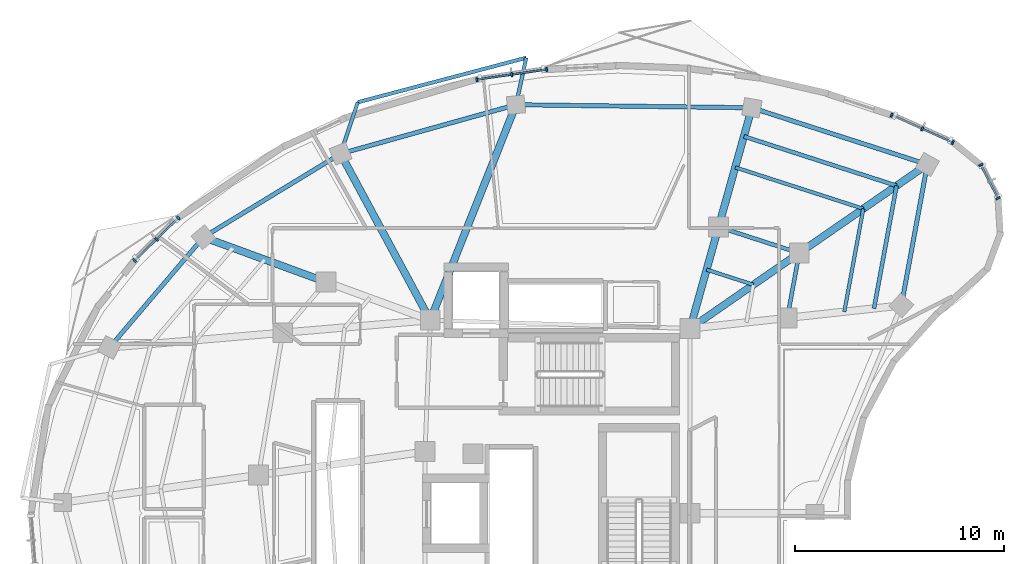
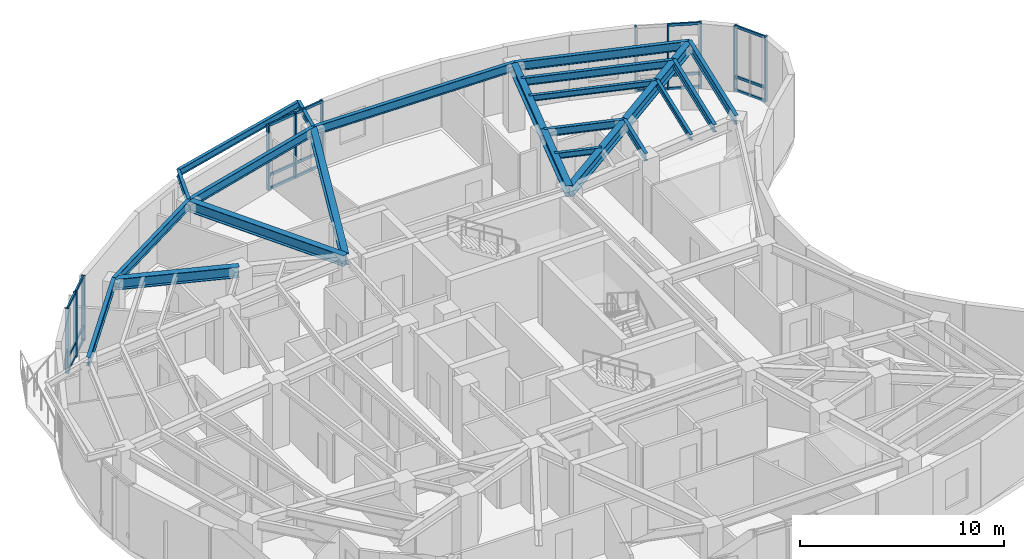
# One storey, part 5 of 14: 30 members, 23 beams, 4 elements without a shape of their own.
"""IFC4 building model written with IfcOpenShell, lengths in metres."""

import ifcopenshell
import ifcopenshell.guid

model = None  # the IFC model being written
_history = None  # IfcOwnerHistory: only IFC2X3 demands one
_inside = {}  # id of a spatial element -> (the spatial element, [elements in it])
_under = {}  # id of a project, library or spatial element -> (it, [spatial elements below it])
_declared = {}  # id of a project -> (the project, [libraries it declares])
_typed = {}  # id of a type object -> (the type object, [elements of that type])
_made_of = {}  # id of a material, layer set ... -> (it, [elements and type objects made of it])


def new_model(schema):
    """Start an empty IFC model of exactly this schema.

    Asked for "IFC4X3", IfcOpenShell would pick the latest addendum, in which some entities
    have other attributes; the version numbers below select the first issue.
    IFC2X3 requires an IfcOwnerHistory on every rooted entity: one is made here for all.
    """
    global model, _history
    if schema == "IFC4X3":
        model = ifcopenshell.file(schema_version=(4, 3, 0, 0))
    else:
        model = ifcopenshell.file(schema=schema)
    _inside.clear()
    _under.clear()
    _declared.clear()
    _typed.clear()
    _made_of.clear()
    _history = None
    if model.schema == "IFC2X3":
        org = make("IfcOrganization", Name="unknown")
        user = make(
            "IfcPersonAndOrganization",
            ThePerson=make("IfcPerson", FamilyName="unknown"),
            TheOrganization=org,
        )
        app = make(
            "IfcApplication",
            ApplicationDeveloper=org,
            Version="unknown",
            ApplicationFullName="unknown",
            ApplicationIdentifier="unknown",
        )
        _history = make(
            "IfcOwnerHistory",
            OwningUser=user,
            OwningApplication=app,
            ChangeAction="ADDED",
            CreationDate=0,
        )
    return model


def make(cls, **values):
    """One entity of the class cls with the attributes given. An attribute that is None is left unset."""
    return model.create_entity(
        cls, **{name: value for name, value in values.items() if value is not None}
    )


def rooted(cls, **values):
    """An entity with a GlobalId (a new one), such as an element, a storey or a relation."""
    return make(cls, GlobalId=ifcopenshell.guid.new(), OwnerHistory=_history, **values)


def si_unit(unit_type, name, prefix=None):
    """IfcSIUnit, for example si_unit("LENGTHUNIT", "METRE", prefix="MILLI")."""
    return make("IfcSIUnit", UnitType=unit_type, Prefix=prefix, Name=name)


def assignment(units):
    """IfcUnitAssignment: the units of a project."""
    return None if units is None else make("IfcUnitAssignment", Units=units)


def point(xyz):
    """IfcCartesianPoint."""
    return None if xyz is None else make("IfcCartesianPoint", Coordinates=xyz)


def direction(xyz):
    """IfcDirection."""
    return None if xyz is None else make("IfcDirection", DirectionRatios=xyz)


def frame(location, z_axis=None, x_axis=None):
    """IfcAxis2Placement3D, a coordinate frame: its origin and axes. An axis left out is left unset."""
    return make(
        "IfcAxis2Placement3D",
        Location=point(location),
        Axis=direction(z_axis),
        RefDirection=direction(x_axis),
    )


def frame_2d(location, x_axis=None):
    """IfcAxis2Placement2D, a coordinate frame in the plane: its origin and x axis."""
    return make(
        "IfcAxis2Placement2D", Location=point(location), RefDirection=direction(x_axis)
    )


def origin():
    """The frame at (0, 0, 0) with its axes left unset."""
    return frame((0.0, 0.0, 0.0))


def origin_2d():
    """The frame at (0, 0) in the plane with its x axis left unset."""
    return frame_2d((0.0, 0.0))


def place(relative_to, where):
    """IfcLocalPlacement: puts the frame where relative to a parent placement (None: the world)."""
    return make(
        "IfcLocalPlacement", PlacementRelTo=relative_to, RelativePlacement=where
    )


def context(
    kind, dimensions, precision=None, world=None, true_north=None, identifier=None
):
    """IfcGeometricRepresentationContext, for example the 3D "Model" context."""
    return make(
        "IfcGeometricRepresentationContext",
        ContextIdentifier=identifier,
        ContextType=kind,
        CoordinateSpaceDimension=dimensions,
        Precision=precision,
        WorldCoordinateSystem=world,
        TrueNorth=true_north,
    )


def subcontext(parent, identifier, kind, view, scale=None):
    """IfcGeometricRepresentationSubContext, for example "Body" below "Model"."""
    return make(
        "IfcGeometricRepresentationSubContext",
        ContextIdentifier=identifier,
        ContextType=kind,
        ParentContext=parent,
        TargetScale=scale,
        TargetView=view,
    )


def project(units=None, contexts=None):
    """IfcProject with its units and contexts."""
    return rooted(
        "IfcProject",
        Name="project",
        RepresentationContexts=contexts,
        UnitsInContext=assignment(units),
    )


def spatial(cls, under=None, at=None, **own):
    """A site, building, storey or space (cls), placed at a placement, below another one or the project."""
    s = rooted(cls, ObjectPlacement=at, **own)
    if under is not None:
        _under.setdefault(under.id(), (under, []))[1].append(s)
    return s


def profile(cls, at=None, kind="AREA", **sizes):
    """A parametric profile (cls). Its sizes go by their IFC names, for example OverallWidth=200.0."""
    return make(cls, ProfileType=kind, Position=at, **sizes)


def rectangle(**sizes):
    """IfcRectangleProfileDef."""
    return profile("IfcRectangleProfileDef", **sizes)


def i_section(**sizes):
    """IfcIShapeProfileDef."""
    return profile("IfcIShapeProfileDef", **sizes)


def extrude(swept, where, along, depth):
    """IfcExtrudedAreaSolid: the profile swept, set in the frame where, extruded along a direction by depth."""
    return make(
        "IfcExtrudedAreaSolid",
        SweptArea=swept,
        Position=where,
        ExtrudedDirection=direction(along),
        Depth=depth,
    )


def shape(context_of_items, identifier, shape_type, items):
    """IfcShapeRepresentation: the items that make up one representation, for example the "Body"."""
    return make(
        "IfcShapeRepresentation",
        ContextOfItems=context_of_items,
        RepresentationIdentifier=identifier,
        RepresentationType=shape_type,
        Items=items,
    )


def material(Name=None, Category=None):
    """IfcMaterial."""
    return make("IfcMaterial", Name=Name, Category=Category)


def layer(
    of_material, thickness, ventilated=None, Name=None, Category=None, Priority=None
):
    """IfcMaterialLayer: one layer of a wall or slab, of a material (None: an air gap)."""
    return make(
        "IfcMaterialLayer",
        Material=of_material,
        LayerThickness=thickness,
        IsVentilated=ventilated,
        Name=Name,
        Category=Category,
        Priority=Priority,
    )


def layer_set(layers, Name=None):
    """IfcMaterialLayerSet."""
    return make("IfcMaterialLayerSet", MaterialLayers=layers, LayerSetName=Name)


def material_profile(
    of_material, cross_section, Name=None, Category=None, Priority=None
):
    """IfcMaterialProfile: a cross section and its material."""
    return make(
        "IfcMaterialProfile",
        Name=Name,
        Material=of_material,
        Profile=cross_section,
        Priority=Priority,
        Category=Category,
    )


def profile_set(profiles, Name=None, composite=None):
    """IfcMaterialProfileSet."""
    return make(
        "IfcMaterialProfileSet",
        Name=Name,
        MaterialProfiles=profiles,
        CompositeProfile=composite,
    )


def made_of(thing, what):
    """Note that an element or type object is made of a material, layer set ...; save() writes the relation."""
    if what is not None:
        _made_of.setdefault(what.id(), (what, []))[1].append(thing)
    return thing


def type_object(cls, material=None, **own):
    """A type object (cls), such as IfcWallType, which elements share."""
    return made_of(rooted(cls, **own), material)


def element(
    cls,
    number,
    at=None,
    inside=None,
    cuts=None,
    type_object=None,
    material=None,
    context=None,
    identifier="Body",
    shape_type=None,
    held_by="IfcProductDefinitionShape",
    body=None,
    shapes=None,
    **own,
):
    """One element of the class cls, such as IfcWall. Its Tag is "e" and its number.

    at: its placement. inside: the storey or other place that contains it. cuts: it is an
    opening in that element (IfcRelVoidsElement). A single representation is given by context,
    identifier, shape_type and body (its items); several are given by shapes. held_by: the class
    of the entity that holds the representations. save() writes the other relations.
    """
    e = rooted(cls, Tag="e%d" % number, ObjectPlacement=at, **own)
    if body is not None:
        shapes = [shape(context, identifier, shape_type, body)]
    if shapes is not None:
        e.Representation = make(held_by, Representations=shapes)
    if inside is not None:
        _inside.setdefault(inside.id(), (inside, []))[1].append(e)
    if cuts is not None:
        rooted(
            "IfcRelVoidsElement", RelatingBuildingElement=cuts, RelatedOpeningElement=e
        )
    if type_object is not None:
        _typed.setdefault(type_object.id(), (type_object, []))[1].append(e)
    return made_of(e, material)


def aggregate(whole, parts):
    """IfcRelAggregates: a whole, such as a stair, and the parts it consists of."""
    return rooted("IfcRelAggregates", RelatingObject=whole, RelatedObjects=parts)


def save(model, path):
    """Write the relations noted so far, then the file.

    IfcRelAggregates (storeys below a building ...), IfcRelContainedInSpatialStructure (elements
    in a storey), IfcRelDefinesByType, IfcRelAssociatesMaterial and IfcRelDeclares: one each for
    every whole, place, type object, material and project.
    """
    for whole, parts in _under.values():
        aggregate(whole, parts)
    for where, things in _inside.values():
        rooted(
            "IfcRelContainedInSpatialStructure",
            RelatedElements=things,
            RelatingStructure=where,
        )
    for kind, things in _typed.values():
        rooted("IfcRelDefinesByType", RelatedObjects=things, RelatingType=kind)
    for what, things in _made_of.values():
        rooted("IfcRelAssociatesMaterial", RelatedObjects=things, RelatingMaterial=what)
    for by, libraries in _declared.values():
        rooted("IfcRelDeclares", RelatingContext=by, RelatedDefinitions=libraries)
    model.write(path)


model = new_model("IFC4")

# Units and contexts
model_context = context("Model", 3, precision=1e-05, world=origin(), true_north=direction((0.0, 1.0)))
body_context = subcontext(model_context, "Body", "Model", "MODEL_VIEW")
ifc_project = project(units=[si_unit("LENGTHUNIT", "METRE"), si_unit("AREAUNIT", "SQUARE_METRE"), si_unit("VOLUMEUNIT", "CUBIC_METRE"), si_unit("PLANEANGLEUNIT", "RADIAN"), si_unit("MASSUNIT", "GRAM", prefix="KILO")], contexts=[model_context])

# Site, building, storey
site_placement = place(None, origin())
site = spatial("IfcSite", under=ifc_project, at=site_placement, CompositionType="ELEMENT")
building_placement = place(site_placement, origin())
building = spatial("IfcBuilding", under=site, at=building_placement, Name="Korentha Bioscience Tower", CompositionType="ELEMENT")
storey_placement = place(building_placement, frame((0.0, 0.0, 252.0)))
storey = spatial("IfcBuildingStorey", under=building, at=storey_placement, Name="L58", CompositionType="ELEMENT", Elevation=252.0)

# Beams
ifc_material_1 = material(Name="Steel S355", Category="steel")
ifc_material_profile_1 = material_profile(ifc_material_1, i_section(OverallWidth=0.18994140625, OverallDepth=0.45703125, WebThickness=0.009033203125, FlangeThickness=0.014404296875, at=origin_2d()), Name="Steel S355")
ifc_profile_set_1 = profile_set([ifc_material_profile_1], Name="Steel S355 (MB-460)")
beam_type_1 = type_object("IfcBeamType", Name="Mid-Ring Tie Girder W460x74", PredefinedType="BEAM", material=ifc_profile_set_1)
beam_1_placement = place(storey_placement, frame((42.77685546875, 39.464599609375, 3.67138671875), z_axis=(-0.951528341902, 0.307561074514, 0.0), x_axis=(-0.307561074514, -0.951528341902, 0.0)))
element("IfcBeam", 1, at=beam_1_placement, inside=storey, type_object=beam_type_1, Name="L58 Mid-Ring Tie Girder 01", PredefinedType="BEAM", context=body_context, shape_type="SweptSolid", body=[
    extrude(i_section(OverallWidth=0.18994140625, OverallDepth=0.45703125, WebThickness=0.009033203125, FlangeThickness=0.014404296875, at=origin_2d()), origin(), (0.0, 0.0, 1.0), 4.062744140625),
])
beam_2_placement = place(storey_placement, frame((42.205078125, 36.357177734375, 3.67138671875), z_axis=(0.180965758034, 0.983489397207, 0.0), x_axis=(-0.983489397207, 0.180965758034, 0.0)))
element("IfcBeam", 2, at=beam_2_placement, inside=storey, type_object=beam_type_1, Name="L58 Mid-Ring Tie Girder 16", PredefinedType="BEAM", context=body_context, shape_type="SweptSolid", body=[
    extrude(i_section(OverallWidth=0.18994140625, OverallDepth=0.45703125, WebThickness=0.009033203125, FlangeThickness=0.014404296875, at=origin_2d()), origin(), (0.0, 0.0, 1.0), 3.15966796875),
])

# Curtain wall, members
ifc_material_2 = material(Name="Thermally Broken Aluminium Frame", Category="aluminium")
ifc_layer = layer(ifc_material_2, 0.219970703125, Name="Thermally Broken Aluminium Frame")
ifc_layer_set = layer_set([ifc_layer], Name="Thermally Broken Aluminium Frame (CW-T2)")
curtain_wall_type = type_object("IfcCurtainWallType", Name="Solar-Screened Lab Unitised Curtain Wall CW-T2", PredefinedType="USERDEFINED", material=ifc_layer_set)
curtain_wall_1_placement = place(storey_placement, origin())
curtain_wall_1 = element("IfcCurtainWall", 3, at=curtain_wall_1_placement, inside=storey, type_object=curtain_wall_type, Name="L58 Curtain Wall 01", ObjectType="UNITISED", PredefinedType="USERDEFINED")
ifc_material_3 = material(Name="Anodised Aluminium 6063-T6", Category="aluminium")
ifc_material_profile_2 = material_profile(ifc_material_3, rectangle(XDim=0.090087890625, YDim=0.199951171875, at=origin_2d()), Name="Anodised Aluminium 6063-T6")
ifc_profile_set_2 = profile_set([ifc_material_profile_2], Name="Anodised Aluminium 6063-T6 (CW-MUL)")
member_type_1 = type_object("IfcMemberType", Name="Mullion RECT 90x200", PredefinedType="MULLION", material=ifc_profile_set_2)
member_1_placement = place(storey_placement, frame((50.13916015625, 44.75830078125, 0.0), z_axis=(0.0, 0.0, 1.0), x_axis=(-0.912621774183, 0.408804962405, 0.0)))
member_1 = element("IfcMember", 4, at=member_1_placement, type_object=member_type_1, Name="CW-L58-01 Mullion 1", PredefinedType="MULLION", context=body_context, shape_type="SweptSolid", body=[
    extrude(rectangle(XDim=0.090087890625, YDim=0.199951171875, at=origin_2d()), origin(), (0.0, 0.0, 1.0), 3.89990234375),
])
member_2_placement = place(storey_placement, frame((48.67138671875, 45.415771484375, 0.0), z_axis=(0.0, 0.0, 1.0), x_axis=(-0.912621774183, 0.408804962405, 0.0)))
member_2 = element("IfcMember", 5, at=member_2_placement, type_object=member_type_1, Name="CW-L58-01 Mullion 2", PredefinedType="MULLION", context=body_context, shape_type="SweptSolid", body=[
    extrude(rectangle(XDim=0.090087890625, YDim=0.199951171875, at=origin_2d()), origin(), (0.0, 0.0, 1.0), 3.89990234375),
])
member_3_placement = place(storey_placement, frame((47.203369140625, 46.0732421875, 0.0), z_axis=(0.0, 0.0, 1.0), x_axis=(-0.912621774183, 0.408804962405, 0.0)))
member_3 = element("IfcMember", 6, at=member_3_placement, type_object=member_type_1, Name="CW-L58-01 Mullion 3", PredefinedType="MULLION", context=body_context, shape_type="SweptSolid", body=[
    extrude(rectangle(XDim=0.090087890625, YDim=0.199951171875, at=origin_2d()), origin(), (0.0, 0.0, 1.0), 3.89990234375),
])

curtain_wall_2_placement = place(storey_placement, origin())
curtain_wall_2 = element("IfcCurtainWall", 7, at=curtain_wall_2_placement, inside=storey, type_object=curtain_wall_type, Name="L58 Curtain Wall 07", ObjectType="UNITISED", PredefinedType="USERDEFINED")
member_4_placement = place(storey_placement, frame((30.67919921875, 48.25830078125, 0.0), z_axis=(0.0, 0.0, 1.0), x_axis=(-0.989728990307, -0.142956377076, 0.0)))
member_4 = element("IfcMember", 8, at=member_4_placement, type_object=member_type_1, Name="CW-L58-07 Mullion 1", PredefinedType="MULLION", context=body_context, shape_type="SweptSolid", body=[
    extrude(rectangle(XDim=0.090087890625, YDim=0.199951171875, at=origin_2d()), origin(), (0.0, 0.0, 1.0), 3.89990234375),
])
member_5_placement = place(storey_placement, frame((29.00439453125, 48.016357421875, 0.0), z_axis=(0.0, 0.0, 1.0), x_axis=(-0.989728990307, -0.142956377076, 0.0)))
member_5 = element("IfcMember", 9, at=member_5_placement, type_object=member_type_1, Name="CW-L58-07 Mullion 2", PredefinedType="MULLION", context=body_context, shape_type="SweptSolid", body=[
    extrude(rectangle(XDim=0.090087890625, YDim=0.199951171875, at=origin_2d()), origin(), (0.0, 0.0, 1.0), 3.89990234375),
])
member_6_placement = place(storey_placement, frame((27.329345703125, 47.7744140625, 0.0), z_axis=(0.0, 0.0, 1.0), x_axis=(-0.989728990307, -0.142956377076, 0.0)))
member_6 = element("IfcMember", 10, at=member_6_placement, type_object=member_type_1, Name="CW-L58-07 Mullion 3", PredefinedType="MULLION", context=body_context, shape_type="SweptSolid", body=[
    extrude(rectangle(XDim=0.090087890625, YDim=0.199951171875, at=origin_2d()), origin(), (0.0, 0.0, 1.0), 3.89990234375),
])

curtain_wall_3_placement = place(storey_placement, origin())
curtain_wall_3 = element("IfcCurtainWall", 11, at=curtain_wall_3_placement, inside=storey, type_object=curtain_wall_type, Name="L58 Curtain Wall 13", ObjectType="UNITISED", PredefinedType="USERDEFINED")
member_7_placement = place(storey_placement, frame((13.03125, 41.143310546875, 0.0), z_axis=(0.0, 0.0, 1.0), x_axis=(-0.715993919158, -0.698106516034, 0.0)))
member_7 = element("IfcMember", 12, at=member_7_placement, type_object=member_type_1, Name="CW-L58-13 Mullion 1", PredefinedType="MULLION", context=body_context, shape_type="SweptSolid", body=[
    extrude(rectangle(XDim=0.090087890625, YDim=0.199951171875, at=origin_2d()), origin(), (0.0, 0.0, 1.0), 3.89990234375),
])
member_8_placement = place(storey_placement, frame((11.98486328125, 40.123046875, 0.0), z_axis=(0.0, 0.0, 1.0), x_axis=(-0.715993919158, -0.698106516034, 0.0)))
member_8 = element("IfcMember", 13, at=member_8_placement, type_object=member_type_1, Name="CW-L58-13 Mullion 2", PredefinedType="MULLION", context=body_context, shape_type="SweptSolid", body=[
    extrude(rectangle(XDim=0.090087890625, YDim=0.199951171875, at=origin_2d()), origin(), (0.0, 0.0, 1.0), 3.89990234375),
])
member_9_placement = place(storey_placement, frame((10.938232421875, 39.1025390625, 0.0), z_axis=(0.0, 0.0, 1.0), x_axis=(-0.715993919158, -0.698106516034, 0.0)))
member_9 = element("IfcMember", 14, at=member_9_placement, type_object=member_type_1, Name="CW-L58-13 Mullion 3", PredefinedType="MULLION", context=body_context, shape_type="SweptSolid", body=[
    extrude(rectangle(XDim=0.090087890625, YDim=0.199951171875, at=origin_2d()), origin(), (0.0, 0.0, 1.0), 3.89990234375),
])

curtain_wall_4_placement = place(storey_placement, origin())
curtain_wall_4 = element("IfcCurtainWall", 15, at=curtain_wall_4_placement, inside=storey, type_object=curtain_wall_type, Name="L58 Curtain Wall 61", ObjectType="UNITISED", PredefinedType="USERDEFINED")
member_10_placement = place(storey_placement, frame((52.2958984375, 42.089599609375, 0.0), z_axis=(0.0, 0.0, 1.0), x_axis=(-0.457569503198, 0.889173857996, 0.0)))
member_10 = element("IfcMember", 16, at=member_10_placement, type_object=member_type_1, Name="CW-L58-61 Mullion 1", PredefinedType="MULLION", context=body_context, shape_type="SweptSolid", body=[
    extrude(rectangle(XDim=0.090087890625, YDim=0.199951171875, at=origin_2d()), origin(), (0.0, 0.0, 1.0), 3.89990234375),
])
member_11_placement = place(storey_placement, frame((51.4736328125, 43.6875, 0.0), z_axis=(0.0, 0.0, 1.0), x_axis=(-0.457569503198, 0.889173857996, 0.0)))
member_11 = element("IfcMember", 17, at=member_11_placement, type_object=member_type_1, Name="CW-L58-61 Mullion 2", PredefinedType="MULLION", context=body_context, shape_type="SweptSolid", body=[
    extrude(rectangle(XDim=0.090087890625, YDim=0.199951171875, at=origin_2d()), origin(), (0.0, 0.0, 1.0), 3.89990234375),
])

# Beams
ifc_material_profile_3 = material_profile(ifc_material_1, i_section(OverallWidth=0.208984375, OverallDepth=0.532958984375, WebThickness=0.01025390625, FlangeThickness=0.015625, at=origin_2d()), Name="Steel S355")
ifc_profile_set_3 = profile_set([ifc_material_profile_3], Name="Steel S355 (SB-530)")
beam_type_2 = type_object("IfcBeamType", Name="Perimeter Ring Spandrel Girder W530x92", PredefinedType="SPANDREL", material=ifc_profile_set_3)
beam_3_placement = place(storey_placement, frame((48.912841796875, 43.707763671875, 3.633544921875), z_axis=(-0.951540431246, 0.307523670151, 0.0), x_axis=(-0.307523670151, -0.951540431246, 0.0)))
element("IfcBeam", 18, at=beam_3_placement, inside=storey, type_object=beam_type_2, Name="L58 Perimeter Spandrel Girder 01", PredefinedType="SPANDREL", context=body_context, shape_type="SweptSolid", body=[
    extrude(i_section(OverallWidth=0.208984375, OverallDepth=0.532958984375, WebThickness=0.01025390625, FlangeThickness=0.015625, at=origin_2d()), origin(), (0.0, 0.0, 1.0), 8.83203125),
])
beam_4_placement = place(storey_placement, frame((40.5087890625, 46.423828125, 3.633544921875), z_axis=(-0.999915413236, 0.013006397415, 0.0), x_axis=(-0.013006397415, -0.999915413236, 0.0)))
element("IfcBeam", 19, at=beam_4_placement, inside=storey, type_object=beam_type_2, Name="L58 Perimeter Spandrel Girder 02", PredefinedType="SPANDREL", context=body_context, shape_type="SweptSolid", body=[
    extrude(i_section(OverallWidth=0.208984375, OverallDepth=0.532958984375, WebThickness=0.01025390625, FlangeThickness=0.015625, at=origin_2d()), origin(), (0.0, 0.0, 1.0), 11.300048828125),
])
beam_5_placement = place(storey_placement, frame((29.209716796875, 46.57080078125, 3.633544921875), z_axis=(-0.963069388381, -0.269253325258, 0.0), x_axis=(0.269253325258, -0.963069388381, 0.0)))
element("IfcBeam", 20, at=beam_5_placement, inside=storey, type_object=beam_type_2, Name="L58 Perimeter Spandrel Girder 03", PredefinedType="SPANDREL", context=body_context, shape_type="SweptSolid", body=[
    extrude(i_section(OverallWidth=0.208984375, OverallDepth=0.532958984375, WebThickness=0.01025390625, FlangeThickness=0.015625, at=origin_2d()), origin(), (0.0, 0.0, 1.0), 8.72900390625),
])
beam_6_placement = place(storey_placement, frame((20.802978515625, 44.220458984375, 3.633544921875), z_axis=(-0.854346933574, -0.519703104755, 0.0), x_axis=(0.519703104755, -0.854346933574, 0.0)))
element("IfcBeam", 21, at=beam_6_placement, inside=storey, type_object=beam_type_2, Name="L58 Perimeter Spandrel Girder 04", PredefinedType="SPANDREL", context=body_context, shape_type="SweptSolid", body=[
    extrude(i_section(OverallWidth=0.208984375, OverallDepth=0.532958984375, WebThickness=0.01025390625, FlangeThickness=0.015625, at=origin_2d()), origin(), (0.0, 0.0, 1.0), 7.687255859375),
])
beam_7_placement = place(storey_placement, frame((14.2353515625, 40.225341796875, 3.633544921875), z_axis=(-0.648430983047, -0.76127344642, 0.0), x_axis=(0.76127344642, -0.648430983047, 0.0)))
element("IfcBeam", 22, at=beam_7_placement, inside=storey, type_object=beam_type_2, Name="L58 Perimeter Spandrel Girder 05", PredefinedType="SPANDREL", context=body_context, shape_type="SweptSolid", body=[
    extrude(i_section(OverallWidth=0.208984375, OverallDepth=0.532958984375, WebThickness=0.01025390625, FlangeThickness=0.015625, at=origin_2d()), origin(), (0.0, 0.0, 1.0), 6.94287109375),
])
beam_8_placement = place(storey_placement, frame((47.669921875, 36.95263671875, 3.633544921875), z_axis=(0.180958869982, 0.98349066461, 0.0), x_axis=(-0.98349066461, 0.180958869982, 0.0)))
element("IfcBeam", 23, at=beam_8_placement, inside=storey, type_object=beam_type_2, Name="L58 Perimeter Spandrel Girder 16", PredefinedType="SPANDREL", context=body_context, shape_type="SweptSolid", body=[
    extrude(i_section(OverallWidth=0.208984375, OverallDepth=0.532958984375, WebThickness=0.01025390625, FlangeThickness=0.015625, at=origin_2d()), origin(), (0.0, 0.0, 1.0), 6.868408203125),
])
ifc_material_profile_4 = material_profile(ifc_material_1, i_section(OverallWidth=0.18994140625, OverallDepth=0.45703125, WebThickness=0.009033203125, FlangeThickness=0.014404296875, at=origin_2d()), Name="Steel S355")
ifc_profile_set_4 = profile_set([ifc_material_profile_4], Name="Steel S355 (RB-460)")
beam_type_3 = type_object("IfcBeamType", Name="Radial Laboratory Beam W460x74", PredefinedType="BEAM", material=ifc_profile_set_4)
beam_9_placement = place(storey_placement, frame((47.440185546875, 42.689208984375, 3.67138671875), z_axis=(-0.951530655781, 0.307553915777, 0.0), x_axis=(-0.307553915777, -0.951530655781, 0.0)))
element("IfcBeam", 24, at=beam_9_placement, inside=storey, type_object=beam_type_3, Name="L58 Secondary Floor Beam JSTO-01", PredefinedType="BEAM", context=body_context, shape_type="SweptSolid", body=[
    extrude(i_section(OverallWidth=0.18994140625, OverallDepth=0.45703125, WebThickness=0.009033203125, FlangeThickness=0.014404296875, at=origin_2d()), origin(), (0.0, 0.0, 1.0), 7.687255859375),
])
beam_10_placement = place(storey_placement, frame((46.3583984375, 36.809814453125, 3.67138671875), z_axis=(0.18095869438, 0.98349069692, 0.0), x_axis=(-0.98349069692, 0.18095869438, 0.0)))
element("IfcBeam", 25, at=beam_10_placement, inside=storey, type_object=beam_type_3, Name="L58 Secondary Floor Beam JSTO-16", PredefinedType="BEAM", context=body_context, shape_type="SweptSolid", body=[
    extrude(i_section(OverallWidth=0.18994140625, OverallDepth=0.45703125, WebThickness=0.009033203125, FlangeThickness=0.014404296875, at=origin_2d()), origin(), (0.0, 0.0, 1.0), 5.97802734375),
])
ifc_material_profile_5 = material_profile(ifc_material_1, i_section(OverallWidth=0.35009765625, OverallDepth=0.64990234375, WebThickness=0.01611328125, FlangeThickness=0.02490234375, at=origin_2d()), Name="Steel S355")
ifc_profile_set_5 = profile_set([ifc_material_profile_5], Name="Steel S355 (RB-650)")
beam_type_4 = type_object("IfcBeamType", Name="Radial Laboratory Girder CVS 650x208", PredefinedType="BEAM", material=ifc_profile_set_5)
beam_11_placement = place(storey_placement, frame((37.550048828125, 35.85009765625, 3.574951171875), z_axis=(0.822490816724, 0.568778389537, 0.0), x_axis=(-0.568778389537, 0.822490816724, 0.0)))
element("IfcBeam", 26, at=beam_11_placement, inside=storey, type_object=beam_type_4, Name="L58 Inner Radial Girder 01", PredefinedType="BEAM", context=body_context, shape_type="SweptSolid", body=[
    extrude(i_section(OverallWidth=0.35009765625, OverallDepth=0.64990234375, WebThickness=0.01611328125, FlangeThickness=0.02490234375, at=origin_2d()), origin(), (0.0, 0.0, 1.0), 6.354736328125),
])
beam_12_placement = place(storey_placement, frame((42.77685546875, 39.464599609375, 3.574951171875), z_axis=(0.822494853441, 0.568772552135, 0.0), x_axis=(-0.568772552135, 0.822494853441, 0.0)))
element("IfcBeam", 27, at=beam_12_placement, inside=storey, type_object=beam_type_4, Name="L58 Outer Radial Girder 01", PredefinedType="BEAM", context=body_context, shape_type="SweptSolid", body=[
    extrude(i_section(OverallWidth=0.35009765625, OverallDepth=0.64990234375, WebThickness=0.01611328125, FlangeThickness=0.02490234375, at=origin_2d()), origin(), (0.0, 0.0, 1.0), 7.460205078125),
])
beam_13_placement = place(storey_placement, frame((37.550048828125, 35.85009765625, 3.574951171875), z_axis=(0.269475733077, 0.963007180286, 0.0), x_axis=(-0.963007180286, 0.269475733077, 0.0)))
element("IfcBeam", 28, at=beam_13_placement, inside=storey, type_object=beam_type_4, Name="L58 Inner Radial Girder 02", PredefinedType="BEAM", context=body_context, shape_type="SweptSolid", body=[
    extrude(i_section(OverallWidth=0.35009765625, OverallDepth=0.64990234375, WebThickness=0.01611328125, FlangeThickness=0.02490234375, at=origin_2d()), origin(), (0.0, 0.0, 1.0), 5.05078125),
])
beam_14_placement = place(storey_placement, frame((38.9111328125, 40.714111328125, 3.574951171875), z_axis=(0.269463441067, 0.963010619842, 0.0), x_axis=(-0.963010619842, 0.269463441067, 0.0)))
element("IfcBeam", 29, at=beam_14_placement, inside=storey, type_object=beam_type_4, Name="L58 Outer Radial Girder 02", PredefinedType="BEAM", context=body_context, shape_type="SweptSolid", body=[
    extrude(i_section(OverallWidth=0.35009765625, OverallDepth=0.64990234375, WebThickness=0.01611328125, FlangeThickness=0.02490234375, at=origin_2d()), origin(), (0.0, 0.0, 1.0), 5.928955078125),
])
beam_15_placement = place(storey_placement, frame((25.10009765625, 36.25, 3.574951171875), z_axis=(0.369938982304, 0.929056052869, 0.0), x_axis=(-0.929056052869, 0.369938982304, 0.0)))
element("IfcBeam", 30, at=beam_15_placement, inside=storey, type_object=beam_type_4, Name="L58 Radial Girder 03", PredefinedType="BEAM", context=body_context, shape_type="SweptSolid", body=[
    extrude(i_section(OverallWidth=0.35009765625, OverallDepth=0.64990234375, WebThickness=0.01611328125, FlangeThickness=0.02490234375, at=origin_2d()), origin(), (0.0, 0.0, 1.0), 11.10888671875),
])
beam_16_placement = place(storey_placement, frame((25.10009765625, 36.25, 3.574951171875), z_axis=(-0.47455638006, 0.88022510879, 0.0), x_axis=(-0.88022510879, -0.47455638006, 0.0)))
element("IfcBeam", 31, at=beam_16_placement, inside=storey, type_object=beam_type_4, Name="L58 Radial Girder 04", PredefinedType="BEAM", context=body_context, shape_type="SweptSolid", body=[
    extrude(i_section(OverallWidth=0.35009765625, OverallDepth=0.64990234375, WebThickness=0.01611328125, FlangeThickness=0.02490234375, at=origin_2d()), origin(), (0.0, 0.0, 1.0), 9.054931640625),
])
beam_17_placement = place(storey_placement, frame((20.102294921875, 38.07861328125, 3.574951171875), z_axis=(-0.939108088977, 0.343621881169, 0.0), x_axis=(-0.343621881169, -0.939108088977, 0.0)))
element("IfcBeam", 32, at=beam_17_placement, inside=storey, type_object=beam_type_4, Name="L58 Outer Radial Girder 05", PredefinedType="BEAM", context=body_context, shape_type="SweptSolid", body=[
    extrude(i_section(OverallWidth=0.35009765625, OverallDepth=0.64990234375, WebThickness=0.01611328125, FlangeThickness=0.02490234375, at=origin_2d()), origin(), (0.0, 0.0, 1.0), 6.247314453125),
])
ifc_material_profile_6 = material_profile(ifc_material_1, i_section(OverallWidth=0.1708984375, OverallDepth=0.35498046875, WebThickness=0.007080078125, FlangeThickness=0.01171875, at=origin_2d()), Name="Steel S355")
ifc_profile_set_6 = profile_set([ifc_material_profile_6], Name="Steel S355 (JB-360)")
beam_type_5 = type_object("IfcBeamType", Name="Secondary Laboratory Joist W360x51", PredefinedType="JOIST", material=ifc_profile_set_6)
beam_18_placement = place(storey_placement, frame((45.844970703125, 41.586181640625, 3.722412109375), z_axis=(-0.951532872692, 0.307547056867, 0.0), x_axis=(-0.307547056867, -0.951532872692, 0.0)))
element("IfcBeam", 33, at=beam_18_placement, inside=storey, type_object=beam_type_5, Name="L58 Secondary Floor Beam JST-01", PredefinedType="JOIST", context=body_context, shape_type="SweptSolid", body=[
    extrude(i_section(OverallWidth=0.1708984375, OverallDepth=0.35498046875, WebThickness=0.007080078125, FlangeThickness=0.01171875, at=origin_2d()), origin(), (0.0, 0.0, 1.0), 6.447509765625),
])
beam_19_placement = place(storey_placement, frame((40.58154296875, 37.9462890625, 3.722412109375), z_axis=(-0.951514105526, 0.307605115343, 0.0), x_axis=(-0.307605115343, -0.951514105526, 0.0)))
element("IfcBeam", 34, at=beam_19_placement, inside=storey, type_object=beam_type_5, Name="L58 Inner Bay Joist 01", PredefinedType="JOIST", context=body_context, shape_type="SweptSolid", body=[
    extrude(i_section(OverallWidth=0.1708984375, OverallDepth=0.35498046875, WebThickness=0.007080078125, FlangeThickness=0.01171875, at=origin_2d()), origin(), (0.0, 0.0, 1.0), 2.3564453125),
])
beam_20_placement = place(storey_placement, frame((44.9375, 36.65478515625, 3.722412109375), z_axis=(0.180980255152, 0.983486729572, 0.0), x_axis=(-0.983486729572, 0.180980255152, 0.0)))
element("IfcBeam", 35, at=beam_20_placement, inside=storey, type_object=beam_type_5, Name="L58 Secondary Floor Beam JST-16", PredefinedType="JOIST", context=body_context, shape_type="SweptSolid", body=[
    extrude(i_section(OverallWidth=0.1708984375, OverallDepth=0.35498046875, WebThickness=0.007080078125, FlangeThickness=0.01171875, at=origin_2d()), origin(), (0.0, 0.0, 1.0), 5.01416015625),
])
ifc_material_profile_7 = material_profile(ifc_material_1, i_section(OverallWidth=0.177978515625, OverallDepth=0.406982421875, WebThickness=0.0078125, FlangeThickness=0.0126953125, at=origin_2d()), Name="Steel S355")
ifc_profile_set_7 = profile_set([ifc_material_profile_7], Name="Steel S355 (CB-410)")
beam_type_6 = type_object("IfcBeamType", Name="Sun-Ledge Cantilever Beam W410x60", PredefinedType="BEAM", material=ifc_profile_set_7)
beam_21_placement = place(storey_placement, frame((29.209716796875, 46.57080078125, 3.698486328125), z_axis=(0.211058663198, 0.97747339641, 0.0), x_axis=(-0.97747339641, 0.211058663198, 0.0)))
element("IfcBeam", 36, at=beam_21_placement, inside=storey, type_object=beam_type_6, Name="L58 Balcony Cantilever Bracket A-L59-01", PredefinedType="BEAM", context=body_context, shape_type="SweptSolid", body=[
    extrude(i_section(OverallWidth=0.177978515625, OverallDepth=0.406982421875, WebThickness=0.0078125, FlangeThickness=0.0126953125, at=origin_2d()), origin(), (0.0, 0.0, 1.0), 2.299560546875),
])
beam_22_placement = place(storey_placement, frame((20.802978515625, 44.220458984375, 3.698486328125), z_axis=(0.316030650677, 0.948748980412, 0.0), x_axis=(-0.948748980412, 0.316030650677, 0.0)))
element("IfcBeam", 37, at=beam_22_placement, inside=storey, type_object=beam_type_6, Name="L58 Balcony Cantilever Bracket B-L59-01", PredefinedType="BEAM", context=body_context, shape_type="SweptSolid", body=[
    extrude(i_section(OverallWidth=0.177978515625, OverallDepth=0.406982421875, WebThickness=0.0078125, FlangeThickness=0.0126953125, at=origin_2d()), origin(), (0.0, 0.0, 1.0), 2.60107421875),
])
beam_23_placement = place(storey_placement, frame((29.695068359375, 48.818603515625, 3.698486328125), z_axis=(-0.966877602889, -0.255240476866, 0.0), x_axis=(0.255240476866, -0.966877602889, 0.0)))
element("IfcBeam", 38, at=beam_23_placement, inside=storey, type_object=beam_type_6, Name="L58 Balcony Edge Trimmer Beam L59-01", PredefinedType="BEAM", context=body_context, shape_type="SweptSolid", body=[
    extrude(i_section(OverallWidth=0.177978515625, OverallDepth=0.406982421875, WebThickness=0.0078125, FlangeThickness=0.0126953125, at=origin_2d()), origin(), (0.0, 0.0, 1.0), 8.346435546875),
])

# Member
ifc_material_profile_8 = material_profile(ifc_material_3, rectangle(XDim=0.090087890625, YDim=0.159912109375, at=origin_2d()), Name="Anodised Aluminium 6063-T6")
ifc_profile_set_8 = profile_set([ifc_material_profile_8], Name="Anodised Aluminium 6063-T6 (CW-TRN)")
member_type_2 = type_object("IfcMemberType", Name="Transom RECT 90x160", PredefinedType="USERDEFINED", material=ifc_profile_set_8)
member_12_placement = place(storey_placement, frame((50.09814453125, 44.776611328125, 0.044921875), z_axis=(-0.912594152791, 0.408866619194, 0.0), x_axis=(-0.408866619194, -0.912594152791, 0.0)))
member_12 = element("IfcMember", 39, at=member_12_placement, type_object=member_type_2, Name="CW-L58-01 Bay 1 Transom 1", ObjectType="TRANSOM", PredefinedType="USERDEFINED", context=body_context, shape_type="SweptSolid", body=[
    extrude(rectangle(XDim=0.090087890625, YDim=0.159912109375, at=origin_2d()), origin(), (0.0, 0.0, 1.0), 1.5185546875),
])

member_13_placement = place(storey_placement, frame((50.09814453125, 44.776611328125, 0.85009765625), z_axis=(-0.912594152791, 0.408866619194, 0.0), x_axis=(-0.408866619194, -0.912594152791, 0.0)))
member_13 = element("IfcMember", 40, at=member_13_placement, type_object=member_type_2, Name="CW-L58-01 Bay 1 Transom 2", ObjectType="TRANSOM", PredefinedType="USERDEFINED", context=body_context, shape_type="SweptSolid", body=[
    extrude(rectangle(XDim=0.090087890625, YDim=0.159912109375, at=origin_2d()), origin(), (0.0, 0.0, 1.0), 1.5185546875),
])

member_14_placement = place(storey_placement, frame((50.09814453125, 44.776611328125, 3.85498046875), z_axis=(-0.912594152791, 0.408866619194, 0.0), x_axis=(-0.408866619194, -0.912594152791, 0.0)))
member_14 = element("IfcMember", 41, at=member_14_placement, type_object=member_type_2, Name="CW-L58-01 Bay 1 Transom 3", ObjectType="TRANSOM", PredefinedType="USERDEFINED", context=body_context, shape_type="SweptSolid", body=[
    extrude(rectangle(XDim=0.090087890625, YDim=0.159912109375, at=origin_2d()), origin(), (0.0, 0.0, 1.0), 1.5185546875),
])

member_15_placement = place(storey_placement, frame((48.630126953125, 45.43408203125, 0.044921875), z_axis=(-0.912594152791, 0.408866619194, 0.0), x_axis=(-0.408866619194, -0.912594152791, 0.0)))
member_15 = element("IfcMember", 42, at=member_15_placement, type_object=member_type_2, Name="CW-L58-01 Bay 2 Transom 1", ObjectType="TRANSOM", PredefinedType="USERDEFINED", context=body_context, shape_type="SweptSolid", body=[
    extrude(rectangle(XDim=0.090087890625, YDim=0.159912109375, at=origin_2d()), origin(), (0.0, 0.0, 1.0), 1.5185546875),
])

aggregate(curtain_wall_1, [member_1, member_2, member_3, member_12, member_13, member_14, member_15])

member_16_placement = place(storey_placement, frame((30.634521484375, 48.251708984375, 0.044921875), z_axis=(-0.989731950051, -0.142935884395, 0.0), x_axis=(0.142935884395, -0.989731950051, 0.0)))
member_16 = element("IfcMember", 43, at=member_16_placement, type_object=member_type_2, Name="CW-L58-07 Bay 1 Transom 1", ObjectType="TRANSOM", PredefinedType="USERDEFINED", context=body_context, shape_type="SweptSolid", body=[
    extrude(rectangle(XDim=0.090087890625, YDim=0.159912109375, at=origin_2d()), origin(), (0.0, 0.0, 1.0), 1.60205078125),
])

member_17_placement = place(storey_placement, frame((30.634521484375, 48.251708984375, 0.85009765625), z_axis=(-0.989731950051, -0.142935884395, 0.0), x_axis=(0.142935884395, -0.989731950051, 0.0)))
member_17 = element("IfcMember", 44, at=member_17_placement, type_object=member_type_2, Name="CW-L58-07 Bay 1 Transom 2", ObjectType="TRANSOM", PredefinedType="USERDEFINED", context=body_context, shape_type="SweptSolid", body=[
    extrude(rectangle(XDim=0.090087890625, YDim=0.159912109375, at=origin_2d()), origin(), (0.0, 0.0, 1.0), 1.60205078125),
])

member_18_placement = place(storey_placement, frame((30.634521484375, 48.251708984375, 3.85498046875), z_axis=(-0.989731950051, -0.142935884395, 0.0), x_axis=(0.142935884395, -0.989731950051, 0.0)))
member_18 = element("IfcMember", 45, at=member_18_placement, type_object=member_type_2, Name="CW-L58-07 Bay 1 Transom 3", ObjectType="TRANSOM", PredefinedType="USERDEFINED", context=body_context, shape_type="SweptSolid", body=[
    extrude(rectangle(XDim=0.090087890625, YDim=0.159912109375, at=origin_2d()), origin(), (0.0, 0.0, 1.0), 1.60205078125),
])

member_19_placement = place(storey_placement, frame((28.959716796875, 48.010009765625, 0.044921875), z_axis=(-0.989731950051, -0.142935884395, 0.0), x_axis=(0.142935884395, -0.989731950051, 0.0)))
member_19 = element("IfcMember", 46, at=member_19_placement, type_object=member_type_2, Name="CW-L58-07 Bay 2 Transom 1", ObjectType="TRANSOM", PredefinedType="USERDEFINED", context=body_context, shape_type="SweptSolid", body=[
    extrude(rectangle(XDim=0.090087890625, YDim=0.159912109375, at=origin_2d()), origin(), (0.0, 0.0, 1.0), 1.60205078125),
])

member_20_placement = place(storey_placement, frame((28.959716796875, 48.010009765625, 0.85009765625), z_axis=(-0.989731950051, -0.142935884395, 0.0), x_axis=(0.142935884395, -0.989731950051, 0.0)))
member_20 = element("IfcMember", 47, at=member_20_placement, type_object=member_type_2, Name="CW-L58-07 Bay 2 Transom 2", ObjectType="TRANSOM", PredefinedType="USERDEFINED", context=body_context, shape_type="SweptSolid", body=[
    extrude(rectangle(XDim=0.090087890625, YDim=0.159912109375, at=origin_2d()), origin(), (0.0, 0.0, 1.0), 1.60205078125),
])

member_21_placement = place(storey_placement, frame((28.959716796875, 48.010009765625, 3.85498046875), z_axis=(-0.989731950051, -0.142935884395, 0.0), x_axis=(0.142935884395, -0.989731950051, 0.0)))
member_21 = element("IfcMember", 48, at=member_21_placement, type_object=member_type_2, Name="CW-L58-07 Bay 2 Transom 3", ObjectType="TRANSOM", PredefinedType="USERDEFINED", context=body_context, shape_type="SweptSolid", body=[
    extrude(rectangle(XDim=0.090087890625, YDim=0.159912109375, at=origin_2d()), origin(), (0.0, 0.0, 1.0), 1.60205078125),
])

aggregate(curtain_wall_2, [member_4, member_5, member_6, member_16, member_17, member_18, member_19, member_20, member_21])

member_22_placement = place(storey_placement, frame((12.9990234375, 41.112060546875, 0.044921875), z_axis=(-0.71586223021, -0.698241553733, 0.0), x_axis=(0.698241553733, -0.71586223021, 0.0)))
member_22 = element("IfcMember", 49, at=member_22_placement, type_object=member_type_2, Name="CW-L58-13 Bay 1 Transom 1", ObjectType="TRANSOM", PredefinedType="USERDEFINED", context=body_context, shape_type="SweptSolid", body=[
    extrude(rectangle(XDim=0.090087890625, YDim=0.159912109375, at=origin_2d()), origin(), (0.0, 0.0, 1.0), 1.37158203125),
])

member_23_placement = place(storey_placement, frame((12.9990234375, 41.112060546875, 0.85009765625), z_axis=(-0.71586223021, -0.698241553733, 0.0), x_axis=(0.698241553733, -0.71586223021, 0.0)))
member_23 = element("IfcMember", 50, at=member_23_placement, type_object=member_type_2, Name="CW-L58-13 Bay 1 Transom 2", ObjectType="TRANSOM", PredefinedType="USERDEFINED", context=body_context, shape_type="SweptSolid", body=[
    extrude(rectangle(XDim=0.090087890625, YDim=0.159912109375, at=origin_2d()), origin(), (0.0, 0.0, 1.0), 1.37158203125),
])

member_24_placement = place(storey_placement, frame((12.9990234375, 41.112060546875, 3.85498046875), z_axis=(-0.71586223021, -0.698241553733, 0.0), x_axis=(0.698241553733, -0.71586223021, 0.0)))
member_24 = element("IfcMember", 51, at=member_24_placement, type_object=member_type_2, Name="CW-L58-13 Bay 1 Transom 3", ObjectType="TRANSOM", PredefinedType="USERDEFINED", context=body_context, shape_type="SweptSolid", body=[
    extrude(rectangle(XDim=0.090087890625, YDim=0.159912109375, at=origin_2d()), origin(), (0.0, 0.0, 1.0), 1.37158203125),
])

member_25_placement = place(storey_placement, frame((11.952392578125, 40.091552734375, 0.044921875), z_axis=(-0.715951201139, -0.698150325924, 0.0), x_axis=(0.698150325924, -0.715951201139, 0.0)))
member_25 = element("IfcMember", 52, at=member_25_placement, type_object=member_type_2, Name="CW-L58-13 Bay 2 Transom 1", ObjectType="TRANSOM", PredefinedType="USERDEFINED", context=body_context, shape_type="SweptSolid", body=[
    extrude(rectangle(XDim=0.090087890625, YDim=0.159912109375, at=origin_2d()), origin(), (0.0, 0.0, 1.0), 1.37158203125),
])

member_26_placement = place(storey_placement, frame((11.952392578125, 40.091552734375, 0.85009765625), z_axis=(-0.715951201139, -0.698150325924, 0.0), x_axis=(0.698150325924, -0.715951201139, 0.0)))
member_26 = element("IfcMember", 53, at=member_26_placement, type_object=member_type_2, Name="CW-L58-13 Bay 2 Transom 2", ObjectType="TRANSOM", PredefinedType="USERDEFINED", context=body_context, shape_type="SweptSolid", body=[
    extrude(rectangle(XDim=0.090087890625, YDim=0.159912109375, at=origin_2d()), origin(), (0.0, 0.0, 1.0), 1.37158203125),
])

member_27_placement = place(storey_placement, frame((11.952392578125, 40.091552734375, 3.85498046875), z_axis=(-0.715951201139, -0.698150325924, 0.0), x_axis=(0.698150325924, -0.715951201139, 0.0)))
member_27 = element("IfcMember", 54, at=member_27_placement, type_object=member_type_2, Name="CW-L58-13 Bay 2 Transom 3", ObjectType="TRANSOM", PredefinedType="USERDEFINED", context=body_context, shape_type="SweptSolid", body=[
    extrude(rectangle(XDim=0.090087890625, YDim=0.159912109375, at=origin_2d()), origin(), (0.0, 0.0, 1.0), 1.37158203125),
])

aggregate(curtain_wall_3, [member_7, member_8, member_9, member_22, member_23, member_24, member_25, member_26, member_27])

member_28_placement = place(storey_placement, frame((52.275390625, 42.129638671875, 0.044921875), z_axis=(-0.457480490139, 0.889219658545, 0.0), x_axis=(-0.889219658545, -0.457480490139, 0.0)))
member_28 = element("IfcMember", 55, at=member_28_placement, type_object=member_type_2, Name="CW-L58-61 Bay 1 Transom 1", ObjectType="TRANSOM", PredefinedType="USERDEFINED", context=body_context, shape_type="SweptSolid", body=[
    extrude(rectangle(XDim=0.090087890625, YDim=0.159912109375, at=origin_2d()), origin(), (0.0, 0.0, 1.0), 1.707275390625),
])

member_29_placement = place(storey_placement, frame((52.275390625, 42.129638671875, 0.85009765625), z_axis=(-0.457480490139, 0.889219658545, 0.0), x_axis=(-0.889219658545, -0.457480490139, 0.0)))
member_29 = element("IfcMember", 56, at=member_29_placement, type_object=member_type_2, Name="CW-L58-61 Bay 1 Transom 2", ObjectType="TRANSOM", PredefinedType="USERDEFINED", context=body_context, shape_type="SweptSolid", body=[
    extrude(rectangle(XDim=0.090087890625, YDim=0.159912109375, at=origin_2d()), origin(), (0.0, 0.0, 1.0), 1.707275390625),
])

member_30_placement = place(storey_placement, frame((52.275390625, 42.129638671875, 3.85498046875), z_axis=(-0.457480490139, 0.889219658545, 0.0), x_axis=(-0.889219658545, -0.457480490139, 0.0)))
member_30 = element("IfcMember", 57, at=member_30_placement, type_object=member_type_2, Name="CW-L58-61 Bay 1 Transom 3", ObjectType="TRANSOM", PredefinedType="USERDEFINED", context=body_context, shape_type="SweptSolid", body=[
    extrude(rectangle(XDim=0.090087890625, YDim=0.159912109375, at=origin_2d()), origin(), (0.0, 0.0, 1.0), 1.707275390625),
])

aggregate(curtain_wall_4, [member_10, member_11, member_28, member_29, member_30])

save(model, "model.ifc")
